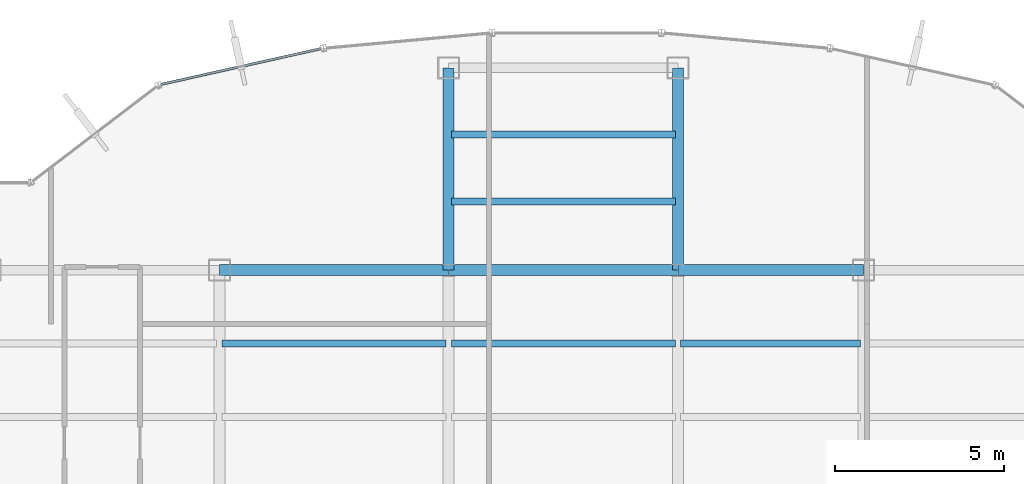
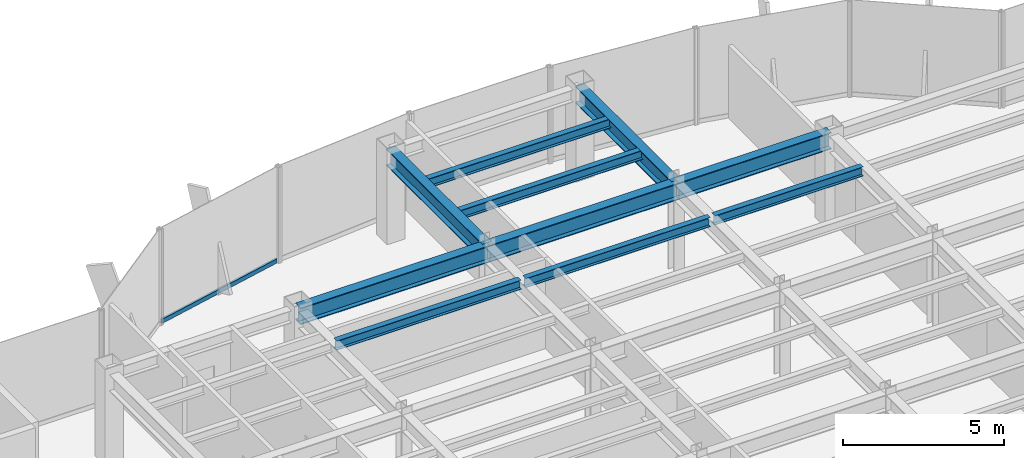
# One storey, part 15 of 25: 10 beams, 1 member, 1 element without a shape of its own.
"""IFC4 building model written with IfcOpenShell, lengths in metres."""

from ifc_helpers import new_model, si_unit, derived_unit, direction, frame, origin, origin_2d, place, context, subcontext, project, spatial, hollow_rectangle, i_section, extrude, source, transform, mapped, material, material_profile, profile_set, type_object, element, aggregate, save


model = new_model("IFC4")

# Units and contexts
model_context = context("Model", 3, precision=1e-05, world=origin(), true_north=direction((0.0, 1.0)))
body_context = subcontext(model_context, "Body", "Model", "MODEL_VIEW")
ifc_project = project(units=[si_unit("LENGTHUNIT", "METRE"), si_unit("AREAUNIT", "SQUARE_METRE"), si_unit("VOLUMEUNIT", "CUBIC_METRE"), si_unit("PLANEANGLEUNIT", "RADIAN"), si_unit("MASSUNIT", "GRAM", prefix="KILO"), derived_unit("THERMALTRANSMITTANCEUNIT", [(si_unit("POWERUNIT", "WATT"), 1), (si_unit("LENGTHUNIT", "METRE"), -2), (si_unit("THERMODYNAMICTEMPERATUREUNIT", "KELVIN"), -1)])], contexts=[model_context])

# Site, building, storey
site_placement = place(None, origin())
site = spatial("IfcSite", under=ifc_project, at=site_placement, CompositionType="ELEMENT")
building_placement = place(site_placement, origin())
building = spatial("IfcBuilding", under=site, at=building_placement, Name="Skarnbrae Concourse Arena and Tower", CompositionType="ELEMENT")
storey_placement = place(building_placement, frame((0.0, 0.0, 169.800048828125)))
storey = spatial("IfcBuildingStorey", under=building, at=storey_placement, Name="L43", CompositionType="ELEMENT", Elevation=169.800048828125)

# Beams
ifc_material_1 = material(Name="Steel CSA G40.21 350W", Category="steel")
ifc_material_profile_1 = material_profile(ifc_material_1, i_section(OverallWidth=0.3291015625, OverallDepth=0.635009765625, WebThickness=0.017822265625, FlangeThickness=0.031005859375, at=origin_2d()), Name="W610X241")
ifc_profile_set_1 = profile_set([ifc_material_profile_1], Name="Steel CSA G40.21 350W")
beam_type_1 = type_object("IfcBeamType", Name="BM-GIRD-W610X241", PredefinedType="BEAM", material=ifc_profile_set_1)
shared_shape_1 = source(origin(), body_context, "Body", "SweptSolid", [
    extrude(i_section(OverallWidth=0.3291015625, OverallDepth=0.635009765625, WebThickness=0.017822265625, FlangeThickness=0.031005859375, at=origin_2d()), origin(), (0.0, 0.0, 1.0), 6.800048828125),
])
for number, where, z_axis, x_axis, name in (
    (1, (14.39990234375, 34.39990234375, 3.08251953125), (1.0, 0.0, 0.0), (0.0, 1.0, 0.0), "L43 Primary E-W girder Y34.4-2"),
    (2, (21.199951171875, 34.39990234375, 3.08251953125), (1.0, 0.0, 0.0), (0.0, 1.0, 0.0), "L43 Primary E-W girder Y34.4-3"),
):
    element("IfcBeam", number, at=place(storey_placement, frame(where, z_axis=z_axis, x_axis=x_axis)), inside=storey, type_object=beam_type_1, Name=name, PredefinedType="BEAM", context=body_context, shape_type="MappedRepresentation", body=[
        mapped(shared_shape_1, transform((0.0, 0.0, 0.0))),
    ])
shared_shape_2 = source(origin(), body_context, "Body", "SweptSolid", [
    extrude(i_section(OverallWidth=0.3291015625, OverallDepth=0.635009765625, WebThickness=0.017822265625, FlangeThickness=0.031005859375, at=origin_2d()), origin(), (0.0, 0.0, 1.0), 5.5),
])
beam_1_placement = place(storey_placement, frame((28.0, 34.39990234375, 3.08251953125), z_axis=(1.0, 0.0, 0.0), x_axis=(0.0, 1.0, 0.0)))
element("IfcBeam", 3, at=beam_1_placement, inside=storey, type_object=beam_type_1, Name="L43 Primary E-W girder Y34.4-4", PredefinedType="BEAM", context=body_context, shape_type="MappedRepresentation", body=[
    mapped(shared_shape_2, transform((0.0, 0.0, 0.0))),
])
shared_shape_3 = source(origin(), body_context, "Body", "SweptSolid", [
    extrude(i_section(OverallWidth=0.3291015625, OverallDepth=0.635009765625, WebThickness=0.017822265625, FlangeThickness=0.031005859375, at=origin_2d()), origin(), (0.0, 0.0, 1.0), 6.0),
])
for number, where, z_axis, x_axis, name in (
    (4, (21.199951171875, 34.39990234375, 3.08251953125), (0.0, 1.0, 0.0), (-1.0, 0.0, 0.0), "L43 Primary N-S girder X21.2-4"),
    (5, (28.0, 34.39990234375, 3.08251953125), (0.0, 1.0, 0.0), (-1.0, 0.0, 0.0), "L43 Primary N-S girder X28.0-4"),
):
    element("IfcBeam", number, at=place(storey_placement, frame(where, z_axis=z_axis, x_axis=x_axis)), inside=storey, type_object=beam_type_1, Name=name, PredefinedType="BEAM", context=body_context, shape_type="MappedRepresentation", body=[
        mapped(shared_shape_3, transform((0.0, 0.0, 0.0))),
    ])
ifc_material_profile_2 = material_profile(ifc_material_1, i_section(OverallWidth=0.205078125, OverallDepth=0.35400390625, WebThickness=0.009521484375, FlangeThickness=0.016845703125, at=origin_2d()), Name="W360X79")
ifc_profile_set_2 = profile_set([ifc_material_profile_2], Name="Steel CSA G40.21 350W")
beam_type_2 = type_object("IfcBeamType", Name="BM-JOIST-W360X79", PredefinedType="JOIST", material=ifc_profile_set_2)
shared_shape_4 = source(origin(), body_context, "Body", "SweptSolid", [
    extrude(i_section(OverallWidth=0.205078125, OverallDepth=0.35400390625, WebThickness=0.009521484375, FlangeThickness=0.016845703125, at=origin_2d()), origin(), (0.0, 0.0, 1.0), 6.64013671875),
])
beam_2_placement = place(storey_placement, frame((14.47998046875, 32.221923828125, 3.222900390625), z_axis=(1.0, 0.0, 0.0), x_axis=(0.0, 1.0, 0.0)))
element("IfcBeam", 6, at=beam_2_placement, inside=storey, type_object=beam_type_2, Name="L43 Secondary floor joist 3.2.2", PredefinedType="JOIST", context=body_context, shape_type="MappedRepresentation", body=[
    mapped(shared_shape_4, transform((0.0, 0.0, 0.0))),
])
shared_shape_5 = source(origin(), body_context, "Body", "SweptSolid", [
    extrude(i_section(OverallWidth=0.205078125, OverallDepth=0.35400390625, WebThickness=0.009521484375, FlangeThickness=0.016845703125, at=origin_2d()), origin(), (0.0, 0.0, 1.0), 6.639892578125),
])
for number, where, z_axis, x_axis, name in (
    (7, (21.280029296875, 32.221923828125, 3.222900390625), (1.0, 0.0, 0.0), (0.0, 1.0, 0.0), "L43 Secondary floor joist 3.2.3"),
    (8, (21.280029296875, 36.43994140625, 3.222900390625), (1.0, 0.0, 0.0), (0.0, 1.0, 0.0), "L43 Secondary floor joist 4.1.1"),
    (9, (21.280029296875, 38.419921875, 3.222900390625), (1.0, 0.0, 0.0), (0.0, 1.0, 0.0), "L43 Secondary floor joist 4.2.1"),
):
    element("IfcBeam", number, at=place(storey_placement, frame(where, z_axis=z_axis, x_axis=x_axis)), inside=storey, type_object=beam_type_2, Name=name, PredefinedType="JOIST", context=body_context, shape_type="MappedRepresentation", body=[
        mapped(shared_shape_5, transform((0.0, 0.0, 0.0))),
    ])
shared_shape_6 = source(origin(), body_context, "Body", "SweptSolid", [
    extrude(i_section(OverallWidth=0.205078125, OverallDepth=0.35400390625, WebThickness=0.009521484375, FlangeThickness=0.016845703125, at=origin_2d()), origin(), (0.0, 0.0, 1.0), 5.33984375),
])
beam_3_placement = place(storey_placement, frame((28.080078125, 32.221923828125, 3.222900390625), z_axis=(1.0, 0.0, 0.0), x_axis=(0.0, 1.0, 0.0)))
element("IfcBeam", 10, at=beam_3_placement, inside=storey, type_object=beam_type_2, Name="L43 Secondary floor joist 3.2.4", PredefinedType="JOIST", context=body_context, shape_type="MappedRepresentation", body=[
    mapped(shared_shape_6, transform((0.0, 0.0, 0.0))),
])

# Curtain wall, member
ifc_material_2 = material(Name="Bronze anodised aluminium 6063-T6", Category="aluminium")
curtain_wall_type = type_object("IfcCurtainWallType", Name="CW-SYS-04-MIDZONE", PredefinedType="USERDEFINED", material=ifc_material_2)
curtain_wall_placement = place(storey_placement, origin())
curtain_wall = element("IfcCurtainWall", 11, at=curtain_wall_placement, inside=storey, type_object=curtain_wall_type, Name="L43 Unitised curtain wall CW-L43-E13", ObjectType="UNITISED CURTAIN WALL", PredefinedType="USERDEFINED")
ifc_material_profile_3 = material_profile(ifc_material_2, hollow_rectangle(XDim=0.074951171875, YDim=0.159912109375, WallThickness=0.00439453125, at=origin_2d()), Name="ALU-TRAN-75X160")
ifc_profile_set_3 = profile_set([ifc_material_profile_3], Name="Bronze anodised aluminium 6063-T6")
member_type = type_object("IfcMemberType", Name="CWT-CW-04", PredefinedType="USERDEFINED", material=ifc_profile_set_3)
shared_shape_7 = source(origin(), body_context, "Body", "SweptSolid", [
    extrude(hollow_rectangle(XDim=0.074951171875, YDim=0.159912109375, WallThickness=0.00439453125, at=origin_2d()), origin(), (0.0, 0.0, 1.0), 4.867919921875),
])
member_placement = place(storey_placement, frame((17.41455078125, 40.970458984375, 0.079833984375), z_axis=(-0.975944534406, -0.218018957349, 0.0), x_axis=(0.218018957349, -0.975944534406, 0.0)))
member = element("IfcMember", 12, at=member_placement, type_object=member_type, Name="CW-L43-E13 Transom 1", ObjectType="TRANSOM", PredefinedType="USERDEFINED", context=body_context, shape_type="MappedRepresentation", body=[
    mapped(shared_shape_7, transform((0.0, 0.0, 0.0))),
])
aggregate(curtain_wall, [member])

save(model, "model.ifc")
